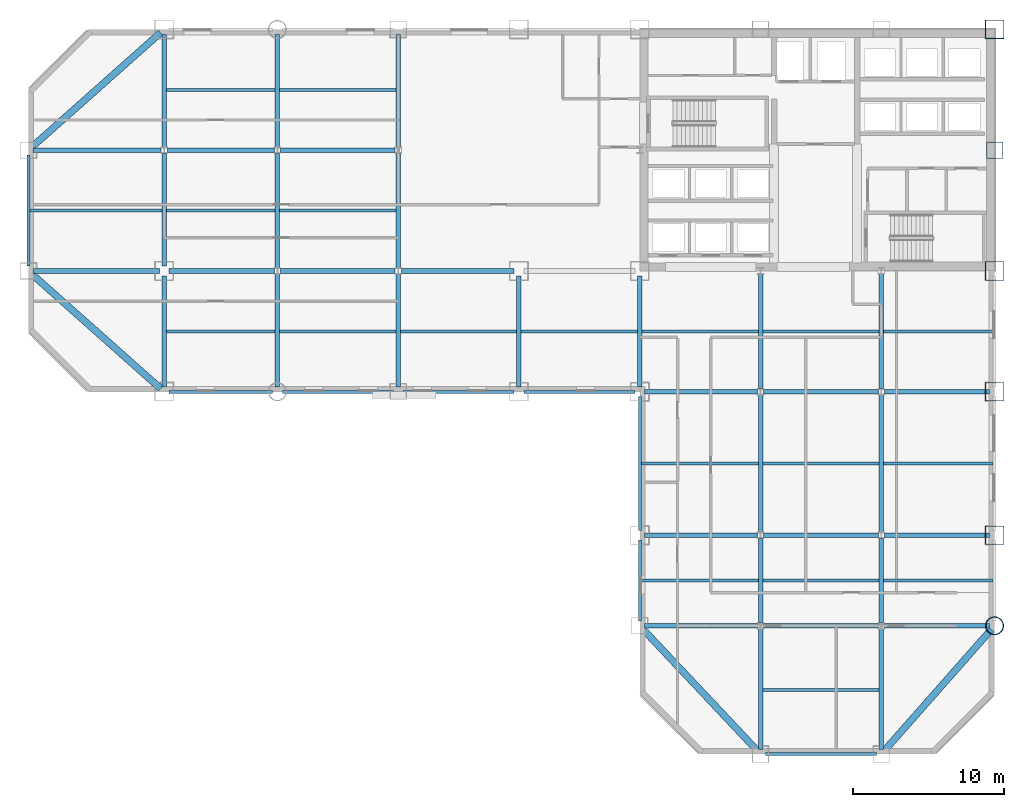
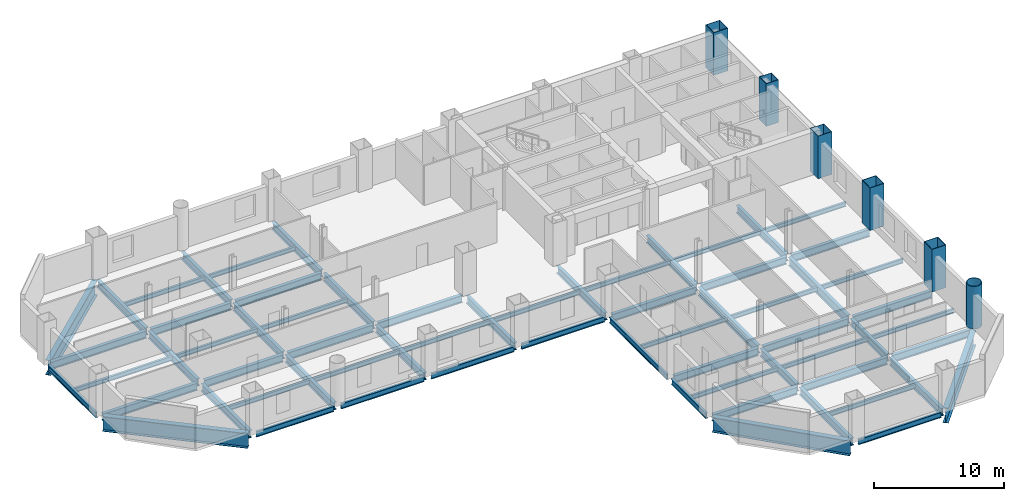
# One storey, part 3 of 9: 66 beams, 6 columns.
"""IFC4 building model written with IfcOpenShell, lengths in metres."""

import ifcopenshell
import ifcopenshell.guid

model = None  # the IFC model being written
_history = None  # IfcOwnerHistory: only IFC2X3 demands one
_inside = {}  # id of a spatial element -> (the spatial element, [elements in it])
_under = {}  # id of a project, library or spatial element -> (it, [spatial elements below it])
_declared = {}  # id of a project -> (the project, [libraries it declares])
_typed = {}  # id of a type object -> (the type object, [elements of that type])
_made_of = {}  # id of a material, layer set ... -> (it, [elements and type objects made of it])


def new_model(schema):
    """Start an empty IFC model of exactly this schema.

    Asked for "IFC4X3", IfcOpenShell would pick the latest addendum, in which some entities
    have other attributes; the version numbers below select the first issue.
    IFC2X3 requires an IfcOwnerHistory on every rooted entity: one is made here for all.
    """
    global model, _history
    if schema == "IFC4X3":
        model = ifcopenshell.file(schema_version=(4, 3, 0, 0))
    else:
        model = ifcopenshell.file(schema=schema)
    _inside.clear()
    _under.clear()
    _declared.clear()
    _typed.clear()
    _made_of.clear()
    _history = None
    if model.schema == "IFC2X3":
        org = make("IfcOrganization", Name="unknown")
        user = make(
            "IfcPersonAndOrganization",
            ThePerson=make("IfcPerson", FamilyName="unknown"),
            TheOrganization=org,
        )
        app = make(
            "IfcApplication",
            ApplicationDeveloper=org,
            Version="unknown",
            ApplicationFullName="unknown",
            ApplicationIdentifier="unknown",
        )
        _history = make(
            "IfcOwnerHistory",
            OwningUser=user,
            OwningApplication=app,
            ChangeAction="ADDED",
            CreationDate=0,
        )
    return model


def make(cls, **values):
    """One entity of the class cls with the attributes given. An attribute that is None is left unset."""
    return model.create_entity(
        cls, **{name: value for name, value in values.items() if value is not None}
    )


def rooted(cls, **values):
    """An entity with a GlobalId (a new one), such as an element, a storey or a relation."""
    return make(cls, GlobalId=ifcopenshell.guid.new(), OwnerHistory=_history, **values)


def si_unit(unit_type, name, prefix=None):
    """IfcSIUnit, for example si_unit("LENGTHUNIT", "METRE", prefix="MILLI")."""
    return make("IfcSIUnit", UnitType=unit_type, Prefix=prefix, Name=name)


def assignment(units):
    """IfcUnitAssignment: the units of a project."""
    return None if units is None else make("IfcUnitAssignment", Units=units)


def point(xyz):
    """IfcCartesianPoint."""
    return None if xyz is None else make("IfcCartesianPoint", Coordinates=xyz)


def direction(xyz):
    """IfcDirection."""
    return None if xyz is None else make("IfcDirection", DirectionRatios=xyz)


def frame(location, z_axis=None, x_axis=None):
    """IfcAxis2Placement3D, a coordinate frame: its origin and axes. An axis left out is left unset."""
    return make(
        "IfcAxis2Placement3D",
        Location=point(location),
        Axis=direction(z_axis),
        RefDirection=direction(x_axis),
    )


def frame_2d(location, x_axis=None):
    """IfcAxis2Placement2D, a coordinate frame in the plane: its origin and x axis."""
    return make(
        "IfcAxis2Placement2D", Location=point(location), RefDirection=direction(x_axis)
    )


def origin():
    """The frame at (0, 0, 0) with its axes left unset."""
    return frame((0.0, 0.0, 0.0))


def origin_2d():
    """The frame at (0, 0) in the plane with its x axis left unset."""
    return frame_2d((0.0, 0.0))


def place(relative_to, where):
    """IfcLocalPlacement: puts the frame where relative to a parent placement (None: the world)."""
    return make(
        "IfcLocalPlacement", PlacementRelTo=relative_to, RelativePlacement=where
    )


def context(
    kind, dimensions, precision=None, world=None, true_north=None, identifier=None
):
    """IfcGeometricRepresentationContext, for example the 3D "Model" context."""
    return make(
        "IfcGeometricRepresentationContext",
        ContextIdentifier=identifier,
        ContextType=kind,
        CoordinateSpaceDimension=dimensions,
        Precision=precision,
        WorldCoordinateSystem=world,
        TrueNorth=true_north,
    )


def subcontext(parent, identifier, kind, view, scale=None):
    """IfcGeometricRepresentationSubContext, for example "Body" below "Model"."""
    return make(
        "IfcGeometricRepresentationSubContext",
        ContextIdentifier=identifier,
        ContextType=kind,
        ParentContext=parent,
        TargetScale=scale,
        TargetView=view,
    )


def project(units=None, contexts=None):
    """IfcProject with its units and contexts."""
    return rooted(
        "IfcProject",
        Name="project",
        RepresentationContexts=contexts,
        UnitsInContext=assignment(units),
    )


def spatial(cls, under=None, at=None, **own):
    """A site, building, storey or space (cls), placed at a placement, below another one or the project."""
    s = rooted(cls, ObjectPlacement=at, **own)
    if under is not None:
        _under.setdefault(under.id(), (under, []))[1].append(s)
    return s


def profile(cls, at=None, kind="AREA", **sizes):
    """A parametric profile (cls). Its sizes go by their IFC names, for example OverallWidth=200.0."""
    return make(cls, ProfileType=kind, Position=at, **sizes)


def hollow_rectangle(**sizes):
    """IfcRectangleHollowProfileDef."""
    return profile("IfcRectangleHollowProfileDef", **sizes)


def hollow_circle(**sizes):
    """IfcCircleHollowProfileDef."""
    return profile("IfcCircleHollowProfileDef", **sizes)


def i_section(**sizes):
    """IfcIShapeProfileDef."""
    return profile("IfcIShapeProfileDef", **sizes)


def extrude(swept, where, along, depth):
    """IfcExtrudedAreaSolid: the profile swept, set in the frame where, extruded along a direction by depth."""
    return make(
        "IfcExtrudedAreaSolid",
        SweptArea=swept,
        Position=where,
        ExtrudedDirection=direction(along),
        Depth=depth,
    )


def shape(context_of_items, identifier, shape_type, items):
    """IfcShapeRepresentation: the items that make up one representation, for example the "Body"."""
    return make(
        "IfcShapeRepresentation",
        ContextOfItems=context_of_items,
        RepresentationIdentifier=identifier,
        RepresentationType=shape_type,
        Items=items,
    )


def material(Name=None, Category=None):
    """IfcMaterial."""
    return make("IfcMaterial", Name=Name, Category=Category)


def material_profile(
    of_material, cross_section, Name=None, Category=None, Priority=None
):
    """IfcMaterialProfile: a cross section and its material."""
    return make(
        "IfcMaterialProfile",
        Name=Name,
        Material=of_material,
        Profile=cross_section,
        Priority=Priority,
        Category=Category,
    )


def profile_set(profiles, Name=None, composite=None):
    """IfcMaterialProfileSet."""
    return make(
        "IfcMaterialProfileSet",
        Name=Name,
        MaterialProfiles=profiles,
        CompositeProfile=composite,
    )


def made_of(thing, what):
    """Note that an element or type object is made of a material, layer set ...; save() writes the relation."""
    if what is not None:
        _made_of.setdefault(what.id(), (what, []))[1].append(thing)
    return thing


def type_object(cls, material=None, **own):
    """A type object (cls), such as IfcWallType, which elements share."""
    return made_of(rooted(cls, **own), material)


def element(
    cls,
    number,
    at=None,
    inside=None,
    cuts=None,
    type_object=None,
    material=None,
    context=None,
    identifier="Body",
    shape_type=None,
    held_by="IfcProductDefinitionShape",
    body=None,
    shapes=None,
    **own,
):
    """One element of the class cls, such as IfcWall. Its Tag is "e" and its number.

    at: its placement. inside: the storey or other place that contains it. cuts: it is an
    opening in that element (IfcRelVoidsElement). A single representation is given by context,
    identifier, shape_type and body (its items); several are given by shapes. held_by: the class
    of the entity that holds the representations. save() writes the other relations.
    """
    e = rooted(cls, Tag="e%d" % number, ObjectPlacement=at, **own)
    if body is not None:
        shapes = [shape(context, identifier, shape_type, body)]
    if shapes is not None:
        e.Representation = make(held_by, Representations=shapes)
    if inside is not None:
        _inside.setdefault(inside.id(), (inside, []))[1].append(e)
    if cuts is not None:
        rooted(
            "IfcRelVoidsElement", RelatingBuildingElement=cuts, RelatedOpeningElement=e
        )
    if type_object is not None:
        _typed.setdefault(type_object.id(), (type_object, []))[1].append(e)
    return made_of(e, material)


def aggregate(whole, parts):
    """IfcRelAggregates: a whole, such as a stair, and the parts it consists of."""
    return rooted("IfcRelAggregates", RelatingObject=whole, RelatedObjects=parts)


def save(model, path):
    """Write the relations noted so far, then the file.

    IfcRelAggregates (storeys below a building ...), IfcRelContainedInSpatialStructure (elements
    in a storey), IfcRelDefinesByType, IfcRelAssociatesMaterial and IfcRelDeclares: one each for
    every whole, place, type object, material and project.
    """
    for whole, parts in _under.values():
        aggregate(whole, parts)
    for where, things in _inside.values():
        rooted(
            "IfcRelContainedInSpatialStructure",
            RelatedElements=things,
            RelatingStructure=where,
        )
    for kind, things in _typed.values():
        rooted("IfcRelDefinesByType", RelatedObjects=things, RelatingType=kind)
    for what, things in _made_of.values():
        rooted("IfcRelAssociatesMaterial", RelatedObjects=things, RelatingMaterial=what)
    for by, libraries in _declared.values():
        rooted("IfcRelDeclares", RelatingContext=by, RelatedDefinitions=libraries)
    model.write(path)


model = new_model("IFC4")

# Units and contexts
model_context = context("Model", 3, precision=1e-05, world=origin(), true_north=direction((0.0, 1.0)))
body_context = subcontext(model_context, "Body", "Model", "MODEL_VIEW")
ifc_project = project(units=[si_unit("LENGTHUNIT", "METRE"), si_unit("AREAUNIT", "SQUARE_METRE"), si_unit("VOLUMEUNIT", "CUBIC_METRE"), si_unit("PLANEANGLEUNIT", "RADIAN"), si_unit("MASSUNIT", "GRAM", prefix="KILO")], contexts=[model_context])

# Site, building, storey
site_placement = place(None, origin())
site = spatial("IfcSite", under=ifc_project, at=site_placement, CompositionType="ELEMENT")
building_placement = place(site_placement, origin())
building = spatial("IfcBuilding", under=site, at=building_placement, Name="Qianrong Seaharbour Tower", CompositionType="ELEMENT")
storey_placement = place(building_placement, frame((0.0, 0.0, 76.199951171875)))
storey = spatial("IfcBuildingStorey", under=building, at=storey_placement, Name="L18", CompositionType="ELEMENT", Elevation=76.199951171875)

# Columns
ifc_material_1 = material(Name="Structural steel SN490B", Category="steel")
ifc_material_profile_1 = material_profile(ifc_material_1, hollow_rectangle(XDim=1.25, YDim=1.25, WallThickness=0.044921875, at=origin_2d()), Name="BOX1250x1250x45")
ifc_profile_set_1 = profile_set([ifc_material_profile_1], Name="Structural steel SN490B")
column_type_1 = type_object("IfcColumnType", Name="COL-CFT-1250", PredefinedType="COLUMN", material=ifc_profile_set_1)
for number, where, z_axis, x_axis, name in (
    (1, (64.0, 18.5, 0.0), (0.0, 0.0, 1.0), (1.0, 0.0, 0.0), "L18 Column MC-2 at G9/GD"),
    (2, (64.0, 28.0, 0.0), (0.0, 0.0, 1.0), (1.0, 0.0, 0.0), "L18 Column MC-2 at G9/GE"),
    (3, (64.0, 36.0, 0.0), (0.0, 0.0, 1.0), (1.0, 0.0, 0.0), "L18 Column MC-2 at G9/GF"),
    (4, (64.0, 52.0, 0.0), (0.0, 0.0, 1.0), (1.0, 0.0, 0.0), "L18 Column MC-2 at G9/GH"),
):
    element("IfcColumn", number, at=place(storey_placement, frame(where, z_axis=z_axis, x_axis=x_axis)), inside=storey, type_object=column_type_1, Name=name, PredefinedType="COLUMN", context=body_context, shape_type="SweptSolid", body=[
        extrude(hollow_rectangle(XDim=1.25, YDim=1.25, WallThickness=0.044921875, at=origin_2d()), origin(), (0.0, 0.0, 1.0), 4.0),
    ])
ifc_material_profile_2 = material_profile(ifc_material_1, hollow_circle(Radius=0.60009765625, WallThickness=0.0400390625, at=origin_2d()), Name="CHS1200x40")
ifc_profile_set_2 = profile_set([ifc_material_profile_2], Name="Structural steel SN490B")
column_type_2 = type_object("IfcColumnType", Name="COL-CHS-1200", PredefinedType="COLUMN", material=ifc_profile_set_2)
column_1_placement = place(storey_placement, frame((64.0, 12.5, 0.0), z_axis=(0.0, 0.0, 1.0), x_axis=(1.0, 0.0, 0.0)))
element("IfcColumn", 5, at=column_1_placement, inside=storey, type_object=column_type_2, Name="L18 Column CC-1 at G9/GC", PredefinedType="COLUMN", context=body_context, shape_type="SweptSolid", body=[
    extrude(hollow_circle(Radius=0.60009765625, WallThickness=0.0400390625, at=origin_2d()), origin(), (0.0, 0.0, 1.0), 4.0),
])
ifc_material_profile_3 = material_profile(ifc_material_1, hollow_rectangle(XDim=1.10009765625, YDim=1.10009765625, WallThickness=0.0400390625, at=origin_2d()), Name="BOX1100x1100x40")
ifc_profile_set_3 = profile_set([ifc_material_profile_3], Name="Structural steel SN490B")
column_type_3 = type_object("IfcColumnType", Name="COL-PER-1100", PredefinedType="COLUMN", material=ifc_profile_set_3)
column_2_placement = place(storey_placement, frame((64.0, 44.0, 0.0), z_axis=(0.0, 0.0, 1.0), x_axis=(1.0, 0.0, 0.0)))
element("IfcColumn", 6, at=column_2_placement, inside=storey, type_object=column_type_3, Name="L18 Column PC-1 at G9/GG", PredefinedType="COLUMN", context=body_context, shape_type="SweptSolid", body=[
    extrude(hollow_rectangle(XDim=1.10009765625, YDim=1.10009765625, WallThickness=0.0400390625, at=origin_2d()), origin(), (0.0, 0.0, 1.0), 4.0),
])

# Beams
ifc_material_profile_4 = material_profile(ifc_material_1, i_section(OverallWidth=0.300048828125, OverallDepth=0.699951171875, WebThickness=0.012939453125, FlangeThickness=0.02392578125, FilletRadius=0.02587890625, at=origin_2d()), Name="H700x300x13x24")
ifc_profile_set_4 = profile_set([ifc_material_profile_4], Name="Structural steel SN490B")
beam_type_1 = type_object("IfcBeamType", Name="BM-G-700", PredefinedType="BEAM", material=ifc_profile_set_4)
beam_1_placement = place(storey_placement, frame((40.820068359375, 12.5, -0.599853515625), z_axis=(1.0, 0.0, 0.0), x_axis=(0.0, 1.0, 0.0)))
element("IfcBeam", 7, at=beam_1_placement, inside=storey, type_object=beam_type_1, Name="L18 Primary Girder GC G6-G7", PredefinedType="BEAM", context=body_context, shape_type="SweptSolid", body=[
    extrude(i_section(OverallWidth=0.300048828125, OverallDepth=0.699951171875, WebThickness=0.012939453125, FlangeThickness=0.02392578125, FilletRadius=0.02587890625, at=origin_2d()), origin(), (0.0, 0.0, 1.0), 7.476318359375),
])
beam_2_placement = place(storey_placement, frame((48.70361328125, 12.5, -0.599853515625), z_axis=(1.0, 0.0, 0.0), x_axis=(0.0, 1.0, 0.0)))
element("IfcBeam", 8, at=beam_2_placement, inside=storey, type_object=beam_type_1, Name="L18 Primary Girder GC G7-G8", PredefinedType="BEAM", context=body_context, shape_type="SweptSolid", body=[
    extrude(i_section(OverallWidth=0.300048828125, OverallDepth=0.699951171875, WebThickness=0.012939453125, FlangeThickness=0.02392578125, FilletRadius=0.02587890625, at=origin_2d()), origin(), (0.0, 0.0, 1.0), 7.5927734375),
])
beam_3_placement = place(storey_placement, frame((56.70361328125, 12.5, -0.599853515625), z_axis=(1.0, 0.0, 0.0), x_axis=(0.0, 1.0, 0.0)))
element("IfcBeam", 9, at=beam_3_placement, inside=storey, type_object=beam_type_1, Name="L18 Primary Girder GC G8-G9", PredefinedType="BEAM", context=body_context, shape_type="SweptSolid", body=[
    extrude(i_section(OverallWidth=0.300048828125, OverallDepth=0.699951171875, WebThickness=0.012939453125, FlangeThickness=0.02392578125, FilletRadius=0.02587890625, at=origin_2d()), origin(), (0.0, 0.0, 1.0), 6.976318359375),
])
beam_4_placement = place(storey_placement, frame((40.820068359375, 18.5, -0.599853515625), z_axis=(1.0, 0.0, 0.0), x_axis=(0.0, 1.0, 0.0)))
element("IfcBeam", 10, at=beam_4_placement, inside=storey, type_object=beam_type_1, Name="L18 Primary Girder GD G6-G7", PredefinedType="BEAM", context=body_context, shape_type="SweptSolid", body=[
    extrude(i_section(OverallWidth=0.300048828125, OverallDepth=0.699951171875, WebThickness=0.012939453125, FlangeThickness=0.02392578125, FilletRadius=0.02587890625, at=origin_2d()), origin(), (0.0, 0.0, 1.0), 7.476318359375),
])
beam_5_placement = place(storey_placement, frame((48.70361328125, 18.5, -0.599853515625), z_axis=(1.0, 0.0, 0.0), x_axis=(0.0, 1.0, 0.0)))
element("IfcBeam", 11, at=beam_5_placement, inside=storey, type_object=beam_type_1, Name="L18 Primary Girder GD G7-G8", PredefinedType="BEAM", context=body_context, shape_type="SweptSolid", body=[
    extrude(i_section(OverallWidth=0.300048828125, OverallDepth=0.699951171875, WebThickness=0.012939453125, FlangeThickness=0.02392578125, FilletRadius=0.02587890625, at=origin_2d()), origin(), (0.0, 0.0, 1.0), 7.5927734375),
])
beam_6_placement = place(storey_placement, frame((56.70361328125, 18.5, -0.599853515625), z_axis=(1.0, 0.0, 0.0), x_axis=(0.0, 1.0, 0.0)))
element("IfcBeam", 12, at=beam_6_placement, inside=storey, type_object=beam_type_1, Name="L18 Primary Girder GD G8-G9", PredefinedType="BEAM", context=body_context, shape_type="SweptSolid", body=[
    extrude(i_section(OverallWidth=0.300048828125, OverallDepth=0.699951171875, WebThickness=0.012939453125, FlangeThickness=0.02392578125, FilletRadius=0.02587890625, at=origin_2d()), origin(), (0.0, 0.0, 1.0), 6.976318359375),
])
beam_7_placement = place(storey_placement, frame((40.820068359375, 28.0, -0.599853515625), z_axis=(1.0, 0.0, 0.0), x_axis=(0.0, 1.0, 0.0)))
element("IfcBeam", 13, at=beam_7_placement, inside=storey, type_object=beam_type_1, Name="L18 Primary Girder GE G6-G7", PredefinedType="BEAM", context=body_context, shape_type="SweptSolid", body=[
    extrude(i_section(OverallWidth=0.300048828125, OverallDepth=0.699951171875, WebThickness=0.012939453125, FlangeThickness=0.02392578125, FilletRadius=0.02587890625, at=origin_2d()), origin(), (0.0, 0.0, 1.0), 7.476318359375),
])
beam_8_placement = place(storey_placement, frame((48.70361328125, 28.0, -0.599853515625), z_axis=(1.0, 0.0, 0.0), x_axis=(0.0, 1.0, 0.0)))
element("IfcBeam", 14, at=beam_8_placement, inside=storey, type_object=beam_type_1, Name="L18 Primary Girder GE G7-G8", PredefinedType="BEAM", context=body_context, shape_type="SweptSolid", body=[
    extrude(i_section(OverallWidth=0.300048828125, OverallDepth=0.699951171875, WebThickness=0.012939453125, FlangeThickness=0.02392578125, FilletRadius=0.02587890625, at=origin_2d()), origin(), (0.0, 0.0, 1.0), 7.5927734375),
])
beam_9_placement = place(storey_placement, frame((56.70361328125, 28.0, -0.599853515625), z_axis=(1.0, 0.0, 0.0), x_axis=(0.0, 1.0, 0.0)))
element("IfcBeam", 15, at=beam_9_placement, inside=storey, type_object=beam_type_1, Name="L18 Primary Girder GE G8-G9", PredefinedType="BEAM", context=body_context, shape_type="SweptSolid", body=[
    extrude(i_section(OverallWidth=0.300048828125, OverallDepth=0.699951171875, WebThickness=0.012939453125, FlangeThickness=0.02392578125, FilletRadius=0.02587890625, at=origin_2d()), origin(), (0.0, 0.0, 1.0), 6.976318359375),
])
beam_10_placement = place(storey_placement, frame((0.320068359375, 36.0, -0.599853515625), z_axis=(1.0, 0.0, 0.0), x_axis=(0.0, 1.0, 0.0)))
element("IfcBeam", 16, at=beam_10_placement, inside=storey, type_object=beam_type_1, Name="L18 Primary Girder GF G1-G2", PredefinedType="BEAM", context=body_context, shape_type="SweptSolid", body=[
    extrude(i_section(OverallWidth=0.300048828125, OverallDepth=0.699951171875, WebThickness=0.012939453125, FlangeThickness=0.02392578125, FilletRadius=0.02587890625, at=origin_2d()), origin(), (0.0, 0.0, 1.0), 8.35986328125),
])
beam_11_placement = place(storey_placement, frame((9.320068359375, 36.0, -0.599853515625), z_axis=(1.0, 0.0, 0.0), x_axis=(0.0, 1.0, 0.0)))
element("IfcBeam", 17, at=beam_11_placement, inside=storey, type_object=beam_type_1, Name="L18 Primary Girder GF G2-G3", PredefinedType="BEAM", context=body_context, shape_type="SweptSolid", body=[
    extrude(i_section(OverallWidth=0.300048828125, OverallDepth=0.699951171875, WebThickness=0.012939453125, FlangeThickness=0.02392578125, FilletRadius=0.02587890625, at=origin_2d()), origin(), (0.0, 0.0, 1.0), 6.976318359375),
])
beam_12_placement = place(storey_placement, frame((16.70361328125, 36.0, -0.599853515625), z_axis=(1.0, 0.0, 0.0), x_axis=(0.0, 1.0, 0.0)))
element("IfcBeam", 18, at=beam_12_placement, inside=storey, type_object=beam_type_1, Name="L18 Primary Girder GF G3-G4", PredefinedType="BEAM", context=body_context, shape_type="SweptSolid", body=[
    extrude(i_section(OverallWidth=0.300048828125, OverallDepth=0.699951171875, WebThickness=0.012939453125, FlangeThickness=0.02392578125, FilletRadius=0.02587890625, at=origin_2d()), origin(), (0.0, 0.0, 1.0), 7.5927734375),
])
beam_13_placement = place(storey_placement, frame((24.70361328125, 36.0, -0.599853515625), z_axis=(1.0, 0.0, 0.0), x_axis=(0.0, 1.0, 0.0)))
element("IfcBeam", 19, at=beam_13_placement, inside=storey, type_object=beam_type_1, Name="L18 Primary Girder GF G4-G5", PredefinedType="BEAM", context=body_context, shape_type="SweptSolid", body=[
    extrude(i_section(OverallWidth=0.300048828125, OverallDepth=0.699951171875, WebThickness=0.012939453125, FlangeThickness=0.02392578125, FilletRadius=0.02587890625, at=origin_2d()), origin(), (0.0, 0.0, 1.0), 7.476318359375),
])
beam_14_placement = place(storey_placement, frame((0.320068359375, 44.0, -0.599853515625), z_axis=(1.0, 0.0, 0.0), x_axis=(0.0, 1.0, 0.0)))
element("IfcBeam", 20, at=beam_14_placement, inside=storey, type_object=beam_type_1, Name="L18 Primary Girder GG G1-G2", PredefinedType="BEAM", context=body_context, shape_type="SweptSolid", body=[
    extrude(i_section(OverallWidth=0.300048828125, OverallDepth=0.699951171875, WebThickness=0.012939453125, FlangeThickness=0.02392578125, FilletRadius=0.02587890625, at=origin_2d()), origin(), (0.0, 0.0, 1.0), 8.476318359375),
])
beam_15_placement = place(storey_placement, frame((9.20361328125, 44.0, -0.599853515625), z_axis=(1.0, 0.0, 0.0), x_axis=(0.0, 1.0, 0.0)))
element("IfcBeam", 21, at=beam_15_placement, inside=storey, type_object=beam_type_1, Name="L18 Primary Girder GG G2-G3", PredefinedType="BEAM", context=body_context, shape_type="SweptSolid", body=[
    extrude(i_section(OverallWidth=0.300048828125, OverallDepth=0.699951171875, WebThickness=0.012939453125, FlangeThickness=0.02392578125, FilletRadius=0.02587890625, at=origin_2d()), origin(), (0.0, 0.0, 1.0), 7.0927734375),
])
beam_16_placement = place(storey_placement, frame((16.70361328125, 44.0, -0.599853515625), z_axis=(1.0, 0.0, 0.0), x_axis=(0.0, 1.0, 0.0)))
element("IfcBeam", 22, at=beam_16_placement, inside=storey, type_object=beam_type_1, Name="L18 Primary Girder GG G3-G4", PredefinedType="BEAM", context=body_context, shape_type="SweptSolid", body=[
    extrude(i_section(OverallWidth=0.300048828125, OverallDepth=0.699951171875, WebThickness=0.012939453125, FlangeThickness=0.02392578125, FilletRadius=0.02587890625, at=origin_2d()), origin(), (0.0, 0.0, 1.0), 7.5927734375),
])
beam_17_placement = place(storey_placement, frame((9.0, 28.320068359375, -0.599853515625), z_axis=(0.0, 1.0, 0.0), x_axis=(-1.0, 0.0, 0.0)))
element("IfcBeam", 23, at=beam_17_placement, inside=storey, type_object=beam_type_1, Name="L18 Primary Girder G2 GE-GF", PredefinedType="BEAM", context=body_context, shape_type="SweptSolid", body=[
    extrude(i_section(OverallWidth=0.300048828125, OverallDepth=0.699951171875, WebThickness=0.012939453125, FlangeThickness=0.02392578125, FilletRadius=0.02587890625, at=origin_2d()), origin(), (0.0, 0.0, 1.0), 7.35986328125),
])
for number, where, z_axis, x_axis, name in (
    (24, (9.0, 36.320068359375, -0.599853515625), (0.0, 1.0, 0.0), (-1.0, 0.0, 0.0), "L18 Primary Girder G2 GF-GG"),
    (25, (9.0, 44.214111328125, -0.599853515625), (0.0, 1.0, 0.0), (-1.0, 0.0, 0.0), "L18 Primary Girder G2 GG-GH"),
    (26, (16.5, 28.320068359375, -0.599853515625), (0.0, 1.0, 0.0), (-1.0, 0.0, 0.0), "L18 Primary Girder G3 GE-GF"),
):
    element("IfcBeam", number, at=place(storey_placement, frame(where, z_axis=z_axis, x_axis=x_axis)), inside=storey, type_object=beam_type_1, Name=name, PredefinedType="BEAM", context=body_context, shape_type="SweptSolid", body=[
        extrude(i_section(OverallWidth=0.300048828125, OverallDepth=0.699951171875, WebThickness=0.012939453125, FlangeThickness=0.02392578125, FilletRadius=0.02587890625, at=origin_2d()), origin(), (0.0, 0.0, 1.0), 7.4658203125),
    ])
beam_18_placement = place(storey_placement, frame((16.5, 36.214111328125, -0.599853515625), z_axis=(0.0, 1.0, 0.0), x_axis=(-1.0, 0.0, 0.0)))
element("IfcBeam", 27, at=beam_18_placement, inside=storey, type_object=beam_type_1, Name="L18 Primary Girder G3 GF-GG", PredefinedType="BEAM", context=body_context, shape_type="SweptSolid", body=[
    extrude(i_section(OverallWidth=0.300048828125, OverallDepth=0.699951171875, WebThickness=0.012939453125, FlangeThickness=0.02392578125, FilletRadius=0.02587890625, at=origin_2d()), origin(), (0.0, 0.0, 1.0), 7.57177734375),
])
for number, where, z_axis, x_axis, name in (
    (28, (16.5, 44.214111328125, -0.599853515625), (0.0, 1.0, 0.0), (-1.0, 0.0, 0.0), "L18 Primary Girder G3 GG-GH"),
    (29, (24.5, 28.320068359375, -0.599853515625), (0.0, 1.0, 0.0), (-1.0, 0.0, 0.0), "L18 Primary Girder G4 GE-GF"),
):
    element("IfcBeam", number, at=place(storey_placement, frame(where, z_axis=z_axis, x_axis=x_axis)), inside=storey, type_object=beam_type_1, Name=name, PredefinedType="BEAM", context=body_context, shape_type="SweptSolid", body=[
        extrude(i_section(OverallWidth=0.300048828125, OverallDepth=0.699951171875, WebThickness=0.012939453125, FlangeThickness=0.02392578125, FilletRadius=0.02587890625, at=origin_2d()), origin(), (0.0, 0.0, 1.0), 7.4658203125),
    ])
beam_19_placement = place(storey_placement, frame((24.5, 36.214111328125, -0.599853515625), z_axis=(0.0, 1.0, 0.0), x_axis=(-1.0, 0.0, 0.0)))
element("IfcBeam", 30, at=beam_19_placement, inside=storey, type_object=beam_type_1, Name="L18 Primary Girder G4 GF-GG", PredefinedType="BEAM", context=body_context, shape_type="SweptSolid", body=[
    extrude(i_section(OverallWidth=0.300048828125, OverallDepth=0.699951171875, WebThickness=0.012939453125, FlangeThickness=0.02392578125, FilletRadius=0.02587890625, at=origin_2d()), origin(), (0.0, 0.0, 1.0), 7.57177734375),
])
beam_20_placement = place(storey_placement, frame((24.5, 44.214111328125, -0.599853515625), z_axis=(0.0, 1.0, 0.0), x_axis=(-1.0, 0.0, 0.0)))
element("IfcBeam", 31, at=beam_20_placement, inside=storey, type_object=beam_type_1, Name="L18 Primary Girder G4 GG-GH", PredefinedType="BEAM", context=body_context, shape_type="SweptSolid", body=[
    extrude(i_section(OverallWidth=0.300048828125, OverallDepth=0.699951171875, WebThickness=0.012939453125, FlangeThickness=0.02392578125, FilletRadius=0.02587890625, at=origin_2d()), origin(), (0.0, 0.0, 1.0), 7.4658203125),
])
for number, where, z_axis, x_axis, name in (
    (32, (32.5, 28.320068359375, -0.599853515625), (0.0, 1.0, 0.0), (-1.0, 0.0, 0.0), "L18 Primary Girder G5 GE-GF"),
    (33, (40.5, 28.320068359375, -0.599853515625), (0.0, 1.0, 0.0), (-1.0, 0.0, 0.0), "L18 Primary Girder G6 GE-GF"),
):
    element("IfcBeam", number, at=place(storey_placement, frame(where, z_axis=z_axis, x_axis=x_axis)), inside=storey, type_object=beam_type_1, Name=name, PredefinedType="BEAM", context=body_context, shape_type="SweptSolid", body=[
        extrude(i_section(OverallWidth=0.300048828125, OverallDepth=0.699951171875, WebThickness=0.012939453125, FlangeThickness=0.02392578125, FilletRadius=0.02587890625, at=origin_2d()), origin(), (0.0, 0.0, 1.0), 7.35986328125),
    ])
beam_21_placement = place(storey_placement, frame((48.5, 4.320068359375, -0.599853515625), z_axis=(0.0, 1.0, 0.0), x_axis=(-1.0, 0.0, 0.0)))
element("IfcBeam", 34, at=beam_21_placement, inside=storey, type_object=beam_type_1, Name="L18 Primary Girder G7 GB-GC", PredefinedType="BEAM", context=body_context, shape_type="SweptSolid", body=[
    extrude(i_section(OverallWidth=0.300048828125, OverallDepth=0.699951171875, WebThickness=0.012939453125, FlangeThickness=0.02392578125, FilletRadius=0.02587890625, at=origin_2d()), origin(), (0.0, 0.0, 1.0), 7.9658203125),
])
beam_22_placement = place(storey_placement, frame((48.5, 12.714111328125, -0.599853515625), z_axis=(0.0, 1.0, 0.0), x_axis=(-1.0, 0.0, 0.0)))
element("IfcBeam", 35, at=beam_22_placement, inside=storey, type_object=beam_type_1, Name="L18 Primary Girder G7 GC-GD", PredefinedType="BEAM", context=body_context, shape_type="SweptSolid", body=[
    extrude(i_section(OverallWidth=0.300048828125, OverallDepth=0.699951171875, WebThickness=0.012939453125, FlangeThickness=0.02392578125, FilletRadius=0.02587890625, at=origin_2d()), origin(), (0.0, 0.0, 1.0), 5.57177734375),
])
beam_23_placement = place(storey_placement, frame((48.5, 28.214111328125, -0.599853515625), z_axis=(0.0, 1.0, 0.0), x_axis=(-1.0, 0.0, 0.0)))
element("IfcBeam", 36, at=beam_23_placement, inside=storey, type_object=beam_type_1, Name="L18 Primary Girder G7 GE-GF", PredefinedType="BEAM", context=body_context, shape_type="SweptSolid", body=[
    extrude(i_section(OverallWidth=0.300048828125, OverallDepth=0.699951171875, WebThickness=0.012939453125, FlangeThickness=0.02392578125, FilletRadius=0.02587890625, at=origin_2d()), origin(), (0.0, 0.0, 1.0), 7.57177734375),
])
beam_24_placement = place(storey_placement, frame((56.5, 4.320068359375, -0.599853515625), z_axis=(0.0, 1.0, 0.0), x_axis=(-1.0, 0.0, 0.0)))
element("IfcBeam", 37, at=beam_24_placement, inside=storey, type_object=beam_type_1, Name="L18 Primary Girder G8 GB-GC", PredefinedType="BEAM", context=body_context, shape_type="SweptSolid", body=[
    extrude(i_section(OverallWidth=0.300048828125, OverallDepth=0.699951171875, WebThickness=0.012939453125, FlangeThickness=0.02392578125, FilletRadius=0.02587890625, at=origin_2d()), origin(), (0.0, 0.0, 1.0), 7.9658203125),
])
beam_25_placement = place(storey_placement, frame((56.5, 12.714111328125, -0.599853515625), z_axis=(0.0, 1.0, 0.0), x_axis=(-1.0, 0.0, 0.0)))
element("IfcBeam", 38, at=beam_25_placement, inside=storey, type_object=beam_type_1, Name="L18 Primary Girder G8 GC-GD", PredefinedType="BEAM", context=body_context, shape_type="SweptSolid", body=[
    extrude(i_section(OverallWidth=0.300048828125, OverallDepth=0.699951171875, WebThickness=0.012939453125, FlangeThickness=0.02392578125, FilletRadius=0.02587890625, at=origin_2d()), origin(), (0.0, 0.0, 1.0), 5.57177734375),
])
beam_26_placement = place(storey_placement, frame((56.5, 28.214111328125, -0.599853515625), z_axis=(0.0, 1.0, 0.0), x_axis=(-1.0, 0.0, 0.0)))
element("IfcBeam", 39, at=beam_26_placement, inside=storey, type_object=beam_type_1, Name="L18 Primary Girder G8 GE-GF", PredefinedType="BEAM", context=body_context, shape_type="SweptSolid", body=[
    extrude(i_section(OverallWidth=0.300048828125, OverallDepth=0.699951171875, WebThickness=0.012939453125, FlangeThickness=0.02392578125, FilletRadius=0.02587890625, at=origin_2d()), origin(), (0.0, 0.0, 1.0), 7.57177734375),
])
ifc_material_profile_5 = material_profile(ifc_material_1, i_section(OverallWidth=0.300048828125, OverallDepth=0.800048828125, WebThickness=0.013916015625, FlangeThickness=0.02587890625, FilletRadius=0.028076171875, at=origin_2d()), Name="H800x300x14x26")
ifc_profile_set_5 = profile_set([ifc_material_profile_5], Name="Structural steel SN490B")
beam_type_2 = type_object("IfcBeamType", Name="BM-G-800", PredefinedType="BEAM", material=ifc_profile_set_5)
for number, where, z_axis, x_axis, name in (
    (40, (48.5, 18.714111328125, -0.64990234375), (0.0, 1.0, 0.0), (-1.0, 0.0, 0.0), "L18 Primary Girder G7 GD-GE"),
    (41, (56.5, 18.714111328125, -0.64990234375), (0.0, 1.0, 0.0), (-1.0, 0.0, 0.0), "L18 Primary Girder G8 GD-GE"),
):
    element("IfcBeam", number, at=place(storey_placement, frame(where, z_axis=z_axis, x_axis=x_axis)), inside=storey, type_object=beam_type_2, Name=name, PredefinedType="BEAM", context=body_context, shape_type="SweptSolid", body=[
        extrude(i_section(OverallWidth=0.300048828125, OverallDepth=0.800048828125, WebThickness=0.013916015625, FlangeThickness=0.02587890625, FilletRadius=0.028076171875, at=origin_2d()), origin(), (0.0, 0.0, 1.0), 9.07177734375),
    ])
ifc_material_2 = material(Name="Structural steel SN400B", Category="steel")
ifc_material_profile_6 = material_profile(ifc_material_2, i_section(OverallWidth=0.199951171875, OverallDepth=0.39990234375, WebThickness=0.008056640625, FlangeThickness=0.012939453125, FilletRadius=0.01611328125, at=origin_2d()), Name="H400x200x8x13")
ifc_profile_set_6 = profile_set([ifc_material_profile_6], Name="Structural steel SN400B")
beam_type_3 = type_object("IfcBeamType", Name="BM-J-400", PredefinedType="JOIST", material=ifc_profile_set_6)
beam_27_placement = place(storey_placement, frame((0.10009765625, 40.0, -0.449951171875), z_axis=(1.0, 0.0, 0.0), x_axis=(0.0, 1.0, 0.0)))
element("IfcBeam", 42, at=beam_27_placement, inside=storey, type_object=beam_type_3, Name="L18 Composite Floor Joist G1-G2/GF-GG", PredefinedType="JOIST", context=body_context, shape_type="SweptSolid", body=[
    extrude(i_section(OverallWidth=0.199951171875, OverallDepth=0.39990234375, WebThickness=0.008056640625, FlangeThickness=0.012939453125, FilletRadius=0.01611328125, at=origin_2d()), origin(), (0.0, 0.0, 1.0), 8.75),
])
for number, where, z_axis, x_axis, name in (
    (43, (9.14990234375, 32.0, -0.449951171875), (1.0, 0.0, 0.0), (0.0, 1.0, 0.0), "L18 Composite Floor Joist G2-G3/GE-GF"),
    (44, (9.14990234375, 40.0, -0.449951171875), (1.0, 0.0, 0.0), (0.0, 1.0, 0.0), "L18 Composite Floor Joist G2-G3/GF-GG"),
    (45, (9.14990234375, 48.0, -0.449951171875), (1.0, 0.0, 0.0), (0.0, 1.0, 0.0), "L18 Composite Floor Joist G2-G3/GG-GH"),
):
    element("IfcBeam", number, at=place(storey_placement, frame(where, z_axis=z_axis, x_axis=x_axis)), inside=storey, type_object=beam_type_3, Name=name, PredefinedType="JOIST", context=body_context, shape_type="SweptSolid", body=[
        extrude(i_section(OverallWidth=0.199951171875, OverallDepth=0.39990234375, WebThickness=0.008056640625, FlangeThickness=0.012939453125, FilletRadius=0.01611328125, at=origin_2d()), origin(), (0.0, 0.0, 1.0), 7.2001953125),
    ])
for number, where, z_axis, x_axis, name in (
    (46, (16.64990234375, 32.0, -0.449951171875), (1.0, 0.0, 0.0), (0.0, 1.0, 0.0), "L18 Composite Floor Joist G3-G4/GE-GF"),
    (47, (16.64990234375, 40.0, -0.449951171875), (1.0, 0.0, 0.0), (0.0, 1.0, 0.0), "L18 Composite Floor Joist G3-G4/GF-GG"),
    (48, (16.64990234375, 48.0, -0.449951171875), (1.0, 0.0, 0.0), (0.0, 1.0, 0.0), "L18 Composite Floor Joist G3-G4/GG-GH"),
    (49, (24.64990234375, 32.0, -0.449951171875), (1.0, 0.0, 0.0), (0.0, 1.0, 0.0), "L18 Composite Floor Joist G4-G5/GE-GF"),
    (50, (32.64990234375, 32.0, -0.449951171875), (1.0, 0.0, 0.0), (0.0, 1.0, 0.0), "L18 Composite Floor Joist G5-G6/GE-GF"),
):
    element("IfcBeam", number, at=place(storey_placement, frame(where, z_axis=z_axis, x_axis=x_axis)), inside=storey, type_object=beam_type_3, Name=name, PredefinedType="JOIST", context=body_context, shape_type="SweptSolid", body=[
        extrude(i_section(OverallWidth=0.199951171875, OverallDepth=0.39990234375, WebThickness=0.008056640625, FlangeThickness=0.012939453125, FilletRadius=0.01611328125, at=origin_2d()), origin(), (0.0, 0.0, 1.0), 7.7001953125),
    ])
for number, where, z_axis, x_axis, name in (
    (51, (40.60009765625, 15.5, -0.449951171875), (1.0, 0.0, 0.0), (0.0, 1.0, 0.0), "L18 Composite Floor Joist G6-G7/GC-GD"),
    (52, (40.60009765625, 23.25, -0.449951171875), (1.0, 0.0, 0.0), (0.0, 1.0, 0.0), "L18 Composite Floor Joist G6-G7/GD-GE"),
):
    element("IfcBeam", number, at=place(storey_placement, frame(where, z_axis=z_axis, x_axis=x_axis)), inside=storey, type_object=beam_type_3, Name=name, PredefinedType="JOIST", context=body_context, shape_type="SweptSolid", body=[
        extrude(i_section(OverallWidth=0.199951171875, OverallDepth=0.39990234375, WebThickness=0.008056640625, FlangeThickness=0.012939453125, FilletRadius=0.01611328125, at=origin_2d()), origin(), (0.0, 0.0, 1.0), 7.75),
    ])
for number, where, z_axis, x_axis, name in (
    (53, (40.64990234375, 32.0, -0.449951171875), (1.0, 0.0, 0.0), (0.0, 1.0, 0.0), "L18 Composite Floor Joist G6-G7/GE-GF"),
    (54, (48.64990234375, 8.25, -0.449951171875), (1.0, 0.0, 0.0), (0.0, 1.0, 0.0), "L18 Composite Floor Joist G7-G8/GB-GC"),
    (55, (48.64990234375, 15.5, -0.449951171875), (1.0, 0.0, 0.0), (0.0, 1.0, 0.0), "L18 Composite Floor Joist G7-G8/GC-GD"),
    (56, (48.64990234375, 23.25, -0.449951171875), (1.0, 0.0, 0.0), (0.0, 1.0, 0.0), "L18 Composite Floor Joist G7-G8/GD-GE"),
    (57, (48.64990234375, 32.0, -0.449951171875), (1.0, 0.0, 0.0), (0.0, 1.0, 0.0), "L18 Composite Floor Joist G7-G8/GE-GF"),
):
    element("IfcBeam", number, at=place(storey_placement, frame(where, z_axis=z_axis, x_axis=x_axis)), inside=storey, type_object=beam_type_3, Name=name, PredefinedType="JOIST", context=body_context, shape_type="SweptSolid", body=[
        extrude(i_section(OverallWidth=0.199951171875, OverallDepth=0.39990234375, WebThickness=0.008056640625, FlangeThickness=0.012939453125, FilletRadius=0.01611328125, at=origin_2d()), origin(), (0.0, 0.0, 1.0), 7.7001953125),
    ])
for number, where, z_axis, x_axis, name in (
    (58, (56.64990234375, 15.5, -0.449951171875), (1.0, 0.0, 0.0), (0.0, 1.0, 0.0), "L18 Composite Floor Joist G8-G9/GC-GD"),
    (59, (56.64990234375, 23.25, -0.449951171875), (1.0, 0.0, 0.0), (0.0, 1.0, 0.0), "L18 Composite Floor Joist G8-G9/GD-GE"),
    (60, (56.64990234375, 32.0, -0.449951171875), (1.0, 0.0, 0.0), (0.0, 1.0, 0.0), "L18 Composite Floor Joist G8-G9/GE-GF"),
):
    element("IfcBeam", number, at=place(storey_placement, frame(where, z_axis=z_axis, x_axis=x_axis)), inside=storey, type_object=beam_type_3, Name=name, PredefinedType="JOIST", context=body_context, shape_type="SweptSolid", body=[
        extrude(i_section(OverallWidth=0.199951171875, OverallDepth=0.39990234375, WebThickness=0.008056640625, FlangeThickness=0.012939453125, FilletRadius=0.01611328125, at=origin_2d()), origin(), (0.0, 0.0, 1.0), 7.25),
    ])
ifc_material_profile_7 = material_profile(ifc_material_1, i_section(OverallWidth=0.199951171875, OverallDepth=0.5, WebThickness=0.010009765625, FlangeThickness=0.01611328125, FilletRadius=0.02001953125, at=origin_2d()), Name="H500x200x10x16")
ifc_profile_set_7 = profile_set([ifc_material_profile_7], Name="Structural steel SN490B")
beam_type_4 = type_object("IfcBeamType", Name="BM-SP-500", PredefinedType="SPANDREL", material=ifc_profile_set_7)
beam_28_placement = place(storey_placement, frame((48.820068359375, 4.0, -0.5), z_axis=(1.0, 0.0, 0.0), x_axis=(0.0, 1.0, 0.0)))
element("IfcBeam", 61, at=beam_28_placement, inside=storey, type_object=beam_type_4, Name="L18 Spandrel Girder GB G7-G8", PredefinedType="SPANDREL", context=body_context, shape_type="SweptSolid", body=[
    extrude(i_section(OverallWidth=0.199951171875, OverallDepth=0.5, WebThickness=0.010009765625, FlangeThickness=0.01611328125, FilletRadius=0.02001953125, at=origin_2d()), origin(), (0.0, 0.0, 1.0), 7.35986328125),
])
beam_29_placement = place(storey_placement, frame((9.320068359375, 28.0, -0.5), z_axis=(1.0, 0.0, 0.0), x_axis=(0.0, 1.0, 0.0)))
element("IfcBeam", 62, at=beam_29_placement, inside=storey, type_object=beam_type_4, Name="L18 Spandrel Girder GE G2-G3", PredefinedType="SPANDREL", context=body_context, shape_type="SweptSolid", body=[
    extrude(i_section(OverallWidth=0.199951171875, OverallDepth=0.5, WebThickness=0.010009765625, FlangeThickness=0.01611328125, FilletRadius=0.02001953125, at=origin_2d()), origin(), (0.0, 0.0, 1.0), 6.85986328125),
])
for number, where, z_axis, x_axis, name in (
    (63, (16.820068359375, 28.0, -0.5), (1.0, 0.0, 0.0), (0.0, 1.0, 0.0), "L18 Spandrel Girder GE G3-G4"),
    (64, (24.820068359375, 28.0, -0.5), (1.0, 0.0, 0.0), (0.0, 1.0, 0.0), "L18 Spandrel Girder GE G4-G5"),
    (65, (32.820068359375, 28.0, -0.5), (1.0, 0.0, 0.0), (0.0, 1.0, 0.0), "L18 Spandrel Girder GE G5-G6"),
    (66, (0.0, 36.320068359375, -0.5), (0.0, 1.0, 0.0), (-1.0, 0.0, 0.0), "L18 Spandrel Girder G1 GF-GG"),
):
    element("IfcBeam", number, at=place(storey_placement, frame(where, z_axis=z_axis, x_axis=x_axis)), inside=storey, type_object=beam_type_4, Name=name, PredefinedType="SPANDREL", context=body_context, shape_type="SweptSolid", body=[
        extrude(i_section(OverallWidth=0.199951171875, OverallDepth=0.5, WebThickness=0.010009765625, FlangeThickness=0.01611328125, FilletRadius=0.02001953125, at=origin_2d()), origin(), (0.0, 0.0, 1.0), 7.35986328125),
    ])
beam_30_placement = place(storey_placement, frame((40.5, 12.820068359375, -0.5), z_axis=(0.0, 1.0, 0.0), x_axis=(-1.0, 0.0, 0.0)))
element("IfcBeam", 67, at=beam_30_placement, inside=storey, type_object=beam_type_4, Name="L18 Spandrel Girder G6 GC-GD", PredefinedType="SPANDREL", context=body_context, shape_type="SweptSolid", body=[
    extrude(i_section(OverallWidth=0.199951171875, OverallDepth=0.5, WebThickness=0.010009765625, FlangeThickness=0.01611328125, FilletRadius=0.02001953125, at=origin_2d()), origin(), (0.0, 0.0, 1.0), 5.35986328125),
])
beam_31_placement = place(storey_placement, frame((40.5, 18.820068359375, -0.5), z_axis=(0.0, 1.0, 0.0), x_axis=(-1.0, 0.0, 0.0)))
element("IfcBeam", 68, at=beam_31_placement, inside=storey, type_object=beam_type_4, Name="L18 Spandrel Girder G6 GD-GE", PredefinedType="SPANDREL", context=body_context, shape_type="SweptSolid", body=[
    extrude(i_section(OverallWidth=0.199951171875, OverallDepth=0.5, WebThickness=0.010009765625, FlangeThickness=0.01611328125, FilletRadius=0.02001953125, at=origin_2d()), origin(), (0.0, 0.0, 1.0), 8.85986328125),
])
ifc_material_profile_8 = material_profile(ifc_material_1, i_section(OverallWidth=0.449951171875, OverallDepth=1.39990234375, WebThickness=0.02197265625, FlangeThickness=0.0400390625, at=origin_2d()), Name="BH1400x450x22x40")
ifc_profile_set_8 = profile_set([ifc_material_profile_8], Name="Structural steel SN490B")
beam_type_5 = type_object("IfcBeamType", Name="BM-TG-1400", PredefinedType="BEAM", material=ifc_profile_set_8)
for number, where, z_axis, x_axis, name in (
    (69, (8.7607421875, 28.212646484375, -0.949951171875), (-0.747406955841, 0.664366497018, 0.0), (-0.664366497018, -0.747406955841, 0.0), "L18 Chamfer Corner Spandrel Girder G1/GE"),
    (70, (8.7607421875, 51.787353515625, -0.949951171875), (-0.747406955841, -0.664366497018, 0.0), (0.664366497018, -0.747406955841, 0.0), "L18 Chamfer Corner Spandrel Girder G1/GH"),
):
    element("IfcBeam", number, at=place(storey_placement, frame(where, z_axis=z_axis, x_axis=x_axis)), inside=storey, type_object=beam_type_5, Name=name, PredefinedType="BEAM", context=body_context, shape_type="SweptSolid", body=[
        extrude(i_section(OverallWidth=0.449951171875, OverallDepth=1.39990234375, WebThickness=0.02197265625, FlangeThickness=0.0400390625, at=origin_2d()), origin(), (0.0, 0.0, 1.0), 11.4013671875),
    ])
beam_32_placement = place(storey_placement, frame((48.28076171875, 4.23291015625, -0.949951171875), z_axis=(-0.685361938021, 0.728202591256, 0.0), x_axis=(-0.728202591256, -0.685361938021, 0.0)))
element("IfcBeam", 71, at=beam_32_placement, inside=storey, type_object=beam_type_5, Name="L18 Chamfer Corner Spandrel Girder G6/GB", PredefinedType="BEAM", context=body_context, shape_type="SweptSolid", body=[
    extrude(i_section(OverallWidth=0.449951171875, OverallDepth=1.39990234375, WebThickness=0.02197265625, FlangeThickness=0.0400390625, at=origin_2d()), origin(), (0.0, 0.0, 1.0), 11.032958984375),
])
beam_33_placement = place(storey_placement, frame((56.711669921875, 4.239990234375, -0.949951171875), z_axis=(0.661630696334, 0.749829861815, 0.0), x_axis=(-0.749829861815, 0.661630696334, 0.0)))
element("IfcBeam", 72, at=beam_33_placement, inside=storey, type_object=beam_type_5, Name="L18 Chamfer Corner Spandrel Girder G9/GB", PredefinedType="BEAM", context=body_context, shape_type="SweptSolid", body=[
    extrude(i_section(OverallWidth=0.449951171875, OverallDepth=1.39990234375, WebThickness=0.02197265625, FlangeThickness=0.0400390625, at=origin_2d()), origin(), (0.0, 0.0, 1.0), 10.69580078125),
])

save(model, "model.ifc")
